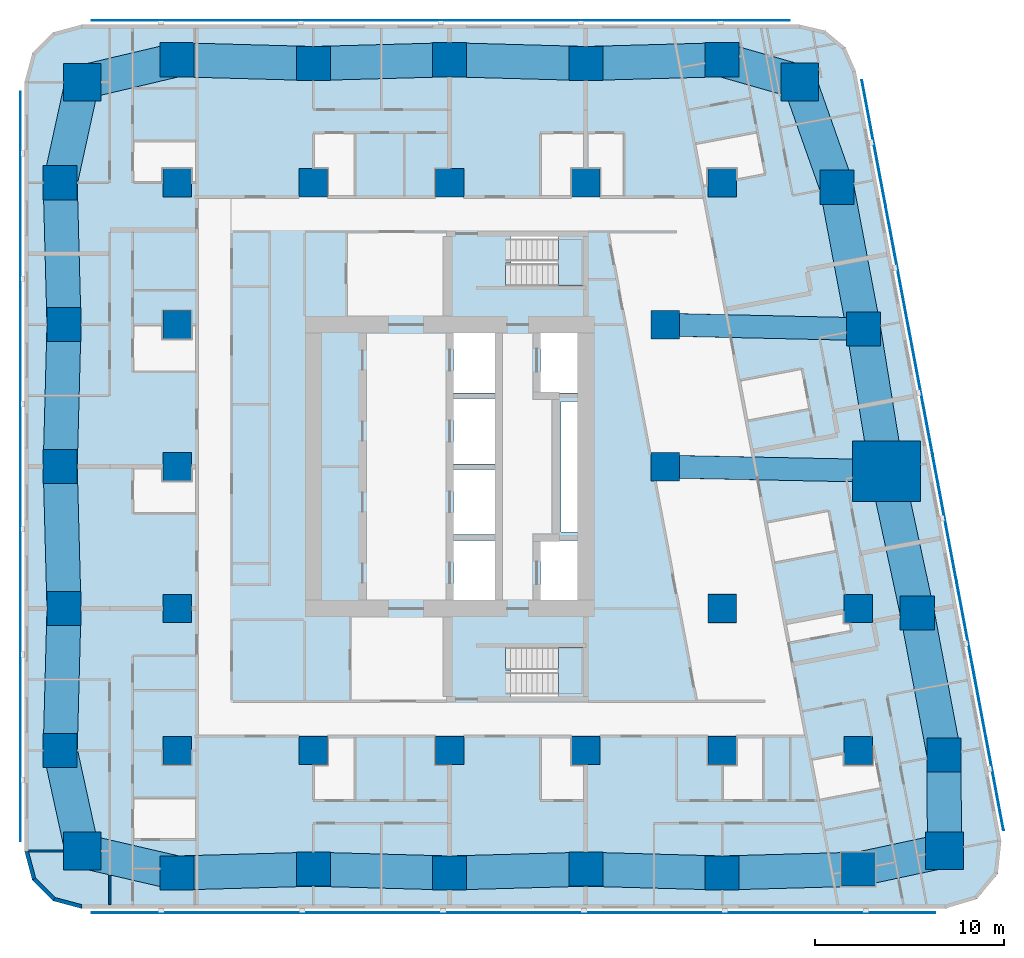
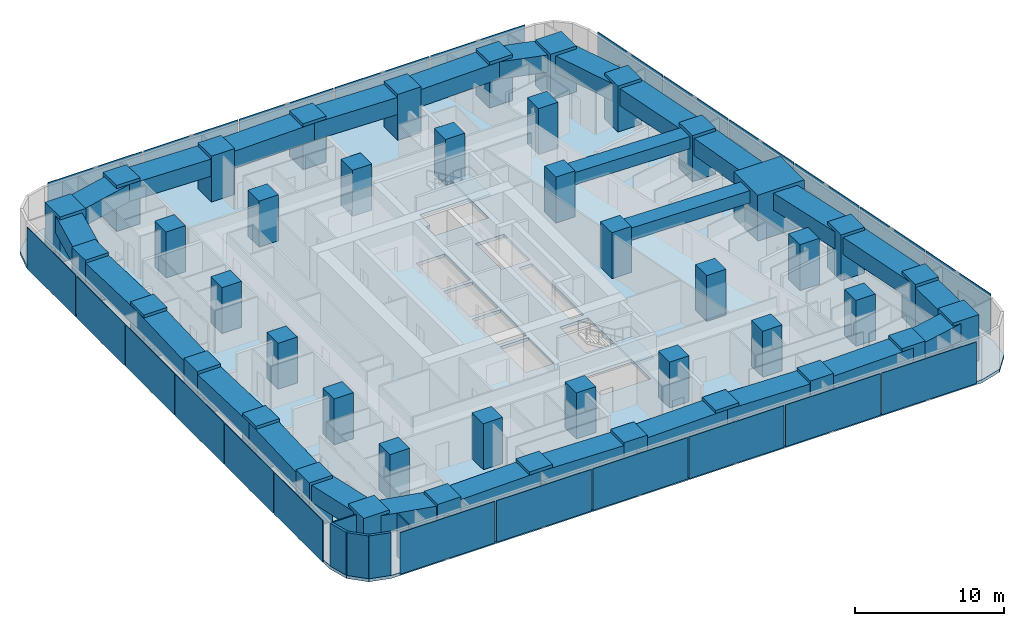
# One storey, part 1 of 15: 43 columns, 27 beams, 23 plates, 5 walls, 3 slabs, 2 elements without a shape of their own.
"""IFC4 building model written with IfcOpenShell, lengths in metres."""

from ifc_helpers import new_model, si_unit, direction, frame, frame_2d, origin, origin_2d, place, context, subcontext, project, spatial, polyline, rectangle, outline, extrude, material, layer, layer_set, material_profile, profile_set, type_object, element, aggregate, save


model = new_model("IFC4")

# Units and contexts
model_context = context("Model", 3, precision=1e-05, world=origin(), true_north=direction((0.0, 1.0)))
body_context = subcontext(model_context, "Body", "Model", "MODEL_VIEW")
ifc_project = project(units=[si_unit("LENGTHUNIT", "METRE"), si_unit("AREAUNIT", "SQUARE_METRE"), si_unit("VOLUMEUNIT", "CUBIC_METRE"), si_unit("PLANEANGLEUNIT", "RADIAN"), si_unit("MASSUNIT", "GRAM", prefix="KILO")], contexts=[model_context])

# Site, building, storey
site_placement = place(None, origin())
site = spatial("IfcSite", under=ifc_project, at=site_placement, CompositionType="ELEMENT")
building_placement = place(site_placement, origin())
building = spatial("IfcBuilding", under=site, at=building_placement, Name="Sheger Commons Tower", CompositionType="ELEMENT")
storey_placement = place(building_placement, frame((0.0, 0.0, 173.300048828125)))
storey = spatial("IfcBuildingStorey", under=building, at=storey_placement, Name="L44", CompositionType="ELEMENT", Elevation=173.300048828125)

# Columns
ifc_material_1 = material(Name="Concrete C50/60", Category="concrete")
ifc_material_profile_1 = material_profile(ifc_material_1, rectangle(XDim=3.60009765625, YDim=3.199951171875, at=origin_2d()), Name="RC 3600x3200")
ifc_profile_set_1 = profile_set([ifc_material_profile_1], Name="Concrete C50/60")
column_type_1 = type_object("IfcColumnType", Name="COLUMN PIER RC 3600x3200", PredefinedType="COLUMN", material=ifc_profile_set_1)
column_placement = place(storey_placement, frame((44.697021484375, 22.262939453125, 0.0), z_axis=(0.0, 0.0, 1.0), x_axis=(1.0, 0.0, 0.0)))
element("IfcColumn", 1, at=column_placement, inside=storey, type_object=column_type_1, Name="Pier 7/D+E/D L44", PredefinedType="COLUMN", context=body_context, shape_type="SweptSolid", body=[
    extrude(rectangle(XDim=3.60009765625, YDim=3.199951171875, at=origin_2d()), origin(), (0.0, 0.0, 1.0), 3.75),
])
ifc_material_2 = material(Name="Concrete C50/60", Category="concrete")
ifc_material_profile_2 = material_profile(ifc_material_2, rectangle(XDim=1.5, YDim=1.5, at=origin_2d()), Name="RC 1500x1500")
ifc_profile_set_2 = profile_set([ifc_material_profile_2], Name="Concrete C50/60")
column_type_2 = type_object("IfcColumnType", Name="COLUMN RC 1500x1500", PredefinedType="COLUMN", material=ifc_profile_set_2)
for number, where, z_axis, x_axis, name in (
    (2, (7.199951171875, 7.5, 0.0), (0.0, 0.0, 1.0), (1.0, 0.0, 0.0), "Column 2/B L44"),
    (3, (14.39990234375, 7.5, 0.0), (0.0, 0.0, 1.0), (1.0, 0.0, 0.0), "Column 3/B L44"),
    (4, (21.60009765625, 7.5, 0.0), (0.0, 0.0, 1.0), (1.0, 0.0, 0.0), "Column 4/B L44"),
    (5, (28.800048828125, 7.5, 0.0), (0.0, 0.0, 1.0), (1.0, 0.0, 0.0), "Column 5/B L44"),
    (6, (36.0, 7.5, 0.0), (0.0, 0.0, 1.0), (1.0, 0.0, 0.0), "Column 6/B L44"),
    (7, (43.199951171875, 7.5, 0.0), (0.0, 0.0, 1.0), (1.0, 0.0, 0.0), "Column 7/B L44"),
    (8, (7.199951171875, 15.0, 0.0), (0.0, 0.0, 1.0), (1.0, 0.0, 0.0), "Column 2/C L44"),
    (9, (36.0, 15.0, 0.0), (0.0, 0.0, 1.0), (1.0, 0.0, 0.0), "Column 6/C L44"),
    (10, (43.199951171875, 15.0, 0.0), (0.0, 0.0, 1.0), (1.0, 0.0, 0.0), "Column 7/C L44"),
    (11, (7.199951171875, 22.5, 0.0), (0.0, 0.0, 1.0), (1.0, 0.0, 0.0), "Column 2/D L44"),
    (12, (33.0, 22.5, 0.0), (0.0, 0.0, 1.0), (1.0, 0.0, 0.0), "Column 6-3000/D L44"),
    (13, (7.199951171875, 30.0, 0.0), (0.0, 0.0, 1.0), (1.0, 0.0, 0.0), "Column 2/E L44"),
    (14, (33.0, 30.0, 0.0), (0.0, 0.0, 1.0), (1.0, 0.0, 0.0), "Column 6-3000/E L44"),
    (15, (7.199951171875, 37.5, 0.0), (0.0, 0.0, 1.0), (1.0, 0.0, 0.0), "Column 2/F L44"),
    (16, (14.39990234375, 37.5, 0.0), (0.0, 0.0, 1.0), (1.0, 0.0, 0.0), "Column 3/F L44"),
    (17, (21.60009765625, 37.5, 0.0), (0.0, 0.0, 1.0), (1.0, 0.0, 0.0), "Column 4/F L44"),
    (18, (28.800048828125, 37.5, 0.0), (0.0, 0.0, 1.0), (1.0, 0.0, 0.0), "Column 5/F L44"),
    (19, (36.0, 37.5, 0.0), (0.0, 0.0, 1.0), (1.0, 0.0, 0.0), "Column 6/F L44"),
):
    element("IfcColumn", number, at=place(storey_placement, frame(where, z_axis=z_axis, x_axis=x_axis)), inside=storey, type_object=column_type_2, Name=name, PredefinedType="COLUMN", context=body_context, shape_type="SweptSolid", body=[
        extrude(rectangle(XDim=1.5, YDim=1.5, at=origin_2d()), origin(), (0.0, 0.0, 1.0), 3.75),
    ])
ifc_material_3 = material(Name="Concrete C50/60", Category="concrete")
ifc_material_profile_3 = material_profile(ifc_material_3, rectangle(XDim=1.800048828125, YDim=1.800048828125, at=origin_2d()), Name="RC 1800x1800")
ifc_profile_set_3 = profile_set([ifc_material_profile_3], Name="Concrete C50/60")
column_type_3 = type_object("IfcColumnType", Name="COLUMN RC 1800x1800", PredefinedType="COLUMN", material=ifc_profile_set_3)
for number, where, z_axis, x_axis, name in (
    (20, (7.199951171875, 1.02490234375, 0.0), (0.0, 0.0, 1.0), (1.0, 0.0, 0.0), "Column 2/A L44"),
    (21, (14.39990234375, 1.22509765625, 0.0), (0.0, 0.0, 1.0), (1.0, 0.0, 0.0), "Column 3/A L44"),
    (22, (21.60009765625, 1.02490234375, 0.0), (0.0, 0.0, 1.0), (1.0, 0.0, 0.0), "Column 4/A L44"),
    (23, (28.800048828125, 1.22509765625, 0.0), (0.0, 0.0, 1.0), (1.0, 0.0, 0.0), "Column 5/A L44"),
    (24, (36.0, 1.02490234375, 0.0), (0.0, 0.0, 1.0), (1.0, 0.0, 0.0), "Column 6/A L44"),
    (25, (43.199951171875, 1.22509765625, 0.0), (0.0, 0.0, 1.0), (1.0, 0.0, 0.0), "Column 7/A L44"),
    (26, (1.02490234375, 7.5, 0.0), (0.0, 0.0, 1.0), (1.0, 0.0, 0.0), "Column 1/B L44"),
    (27, (47.72998046875, 7.262939453125, 0.0), (0.0, 0.0, 1.0), (1.0, 0.0, 0.0), "Column E/B L44"),
    (28, (1.22509765625, 15.0, 0.0), (0.0, 0.0, 1.0), (1.0, 0.0, 0.0), "Column 1/C L44"),
    (29, (46.31396484375, 14.762939453125, 0.0), (0.0, 0.0, 1.0), (1.0, 0.0, 0.0), "Column E/C L44"),
    (30, (1.02490234375, 22.5, 0.0), (0.0, 0.0, 1.0), (1.0, 0.0, 0.0), "Column 1/D L44"),
    (31, (1.22509765625, 30.0, 0.0), (0.0, 0.0, 1.0), (1.0, 0.0, 0.0), "Column 1/E L44"),
    (32, (43.47998046875, 29.762939453125, 0.0), (0.0, 0.0, 1.0), (1.0, 0.0, 0.0), "Column E/E L44"),
    (33, (1.02490234375, 37.5, 0.0), (0.0, 0.0, 1.0), (1.0, 0.0, 0.0), "Column 1/F L44"),
    (34, (42.06396484375, 37.262939453125, 0.0), (0.0, 0.0, 1.0), (1.0, 0.0, 0.0), "Column E/F L44"),
    (35, (7.199951171875, 44.0, 0.0), (0.0, 0.0, 1.0), (1.0, 0.0, 0.0), "Column 2/G L44"),
    (36, (14.39990234375, 43.800048828125, 0.0), (0.0, 0.0, 1.0), (1.0, 0.0, 0.0), "Column 3/G L44"),
    (37, (21.60009765625, 44.0, 0.0), (0.0, 0.0, 1.0), (1.0, 0.0, 0.0), "Column 4/G L44"),
    (38, (28.800048828125, 43.800048828125, 0.0), (0.0, 0.0, 1.0), (1.0, 0.0, 0.0), "Column 5/G L44"),
    (39, (36.0, 44.0, 0.0), (0.0, 0.0, 1.0), (1.0, 0.0, 0.0), "Column 6/G L44"),
):
    element("IfcColumn", number, at=place(storey_placement, frame(where, z_axis=z_axis, x_axis=x_axis)), inside=storey, type_object=column_type_3, Name=name, PredefinedType="COLUMN", context=body_context, shape_type="SweptSolid", body=[
        extrude(rectangle(XDim=1.800048828125, YDim=1.800048828125, at=origin_2d()), origin(), (0.0, 0.0, 1.0), 3.75),
    ])
ifc_material_4 = material(Name="Concrete C50/60", Category="concrete")
ifc_material_profile_4 = material_profile(ifc_material_4, rectangle(XDim=2.0, YDim=2.0, at=origin_2d()), Name="RC 2000x2000")
ifc_profile_set_4 = profile_set([ifc_material_profile_4], Name="Concrete C50/60")
column_type_4 = type_object("IfcColumnType", Name="COLUMN RC 2000x2000", PredefinedType="COLUMN", material=ifc_profile_set_4)
for number, where, z_axis, x_axis, name in (
    (40, (2.18603515625, 2.18603515625, 0.0), (0.0, 0.0, 1.0), (1.0, 0.0, 0.0), "Column 0.630,0.630 L44"),
    (41, (47.748046875, 2.197021484375, 0.0), (0.0, 0.0, 1.0), (1.0, 0.0, 0.0), "Column 49.461,0.778 L44"),
    (42, (2.18603515625, 42.81396484375, 0.0), (0.0, 0.0, 1.0), (1.0, 0.0, 0.0), "Column 0.630,44.370 L44"),
    (43, (40.10205078125, 42.830078125, 0.0), (0.0, 0.0, 1.0), (1.0, 0.0, 0.0), "Column 41.490,44.505 L44"),
):
    element("IfcColumn", number, at=place(storey_placement, frame(where, z_axis=z_axis, x_axis=x_axis)), inside=storey, type_object=column_type_4, Name=name, PredefinedType="COLUMN", context=body_context, shape_type="SweptSolid", body=[
        extrude(rectangle(XDim=2.0, YDim=2.0, at=origin_2d()), origin(), (0.0, 0.0, 1.0), 3.75),
    ])

# Beams
ifc_material_5 = material(Name="Concrete C50/60", Category="concrete")
ifc_material_profile_5 = material_profile(ifc_material_5, rectangle(XDim=1.199951171875, YDim=1.0, at=origin_2d()), Name="RC 1200x1000")
ifc_profile_set_5 = profile_set([ifc_material_profile_5], Name="Concrete C50/60")
beam_type_1 = type_object("IfcBeamType", Name="BEAM RC 1200x1000", PredefinedType="BEAM", material=ifc_profile_set_5)
beam_1_placement = place(storey_placement, frame((33.0, 22.5, 3.0), z_axis=(0.999794692776, -0.02026258368, 0.0), x_axis=(0.02026258368, 0.999794692776, 0.0)))
element("IfcBeam", 44, at=beam_1_placement, inside=storey, type_object=beam_type_1, Name="Beam 6-3000/D-7/D under L45", PredefinedType="BEAM", context=body_context, shape_type="SweptSolid", body=[
    extrude(rectangle(XDim=1.199951171875, YDim=1.0, at=origin_2d()), origin(), (0.0, 0.0, 1.0), 11.699462890625),
])
beam_2_placement = place(storey_placement, frame((33.0, 30.0, 3.0), z_axis=(0.999744258625, -0.022614538395, 0.0), x_axis=(0.022614538395, 0.999744258625, 0.0)))
element("IfcBeam", 45, at=beam_2_placement, inside=storey, type_object=beam_type_1, Name="Beam 6-3000/E-E/E under L45", PredefinedType="BEAM", context=body_context, shape_type="SweptSolid", body=[
    extrude(rectangle(XDim=1.199951171875, YDim=1.0, at=origin_2d()), origin(), (0.0, 0.0, 1.0), 10.482666015625),
])
ifc_material_6 = material(Name="Concrete C50/60", Category="concrete")
ifc_material_profile_6 = material_profile(ifc_material_6, rectangle(XDim=1.800048828125, YDim=1.39990234375, at=origin_2d()), Name="RC 1800x1400")
ifc_profile_set_6 = profile_set([ifc_material_profile_6], Name="Concrete C50/60")
beam_type_2 = type_object("IfcBeamType", Name="SPANDREL RC 1800x1400", PredefinedType="SPANDREL", material=ifc_profile_set_6)
beam_3_placement = place(storey_placement, frame((2.18603515625, 2.18603515625, 2.800048828125), z_axis=(0.974217413499, -0.225611239159, 0.0), x_axis=(0.225611239159, 0.974217413499, 0.0)))
element("IfcBeam", 46, at=beam_3_placement, inside=storey, type_object=beam_type_2, Name="Beam 0.630,0.630-2/A under L45", PredefinedType="SPANDREL", context=body_context, shape_type="SweptSolid", body=[
    extrude(rectangle(XDim=1.800048828125, YDim=1.39990234375, at=origin_2d()), origin(), (0.0, 0.0, 1.0), 5.146728515625),
])
beam_4_placement = place(storey_placement, frame((7.199951171875, 1.02490234375, 2.800048828125), z_axis=(0.9996136624, 0.027794350926, 0.0), x_axis=(-0.027794350926, 0.9996136624, 0.0)))
element("IfcBeam", 47, at=beam_4_placement, inside=storey, type_object=beam_type_2, Name="Beam 2/A-3/A under L45", PredefinedType="SPANDREL", context=body_context, shape_type="SweptSolid", body=[
    extrude(rectangle(XDim=1.800048828125, YDim=1.39990234375, at=origin_2d()), origin(), (0.0, 0.0, 1.0), 7.20263671875),
])
beam_5_placement = place(storey_placement, frame((14.39990234375, 1.22509765625, 2.800048828125), z_axis=(0.999613688584, -0.027793409217, 0.0), x_axis=(0.027793409217, 0.999613688584, 0.0)))
element("IfcBeam", 48, at=beam_5_placement, inside=storey, type_object=beam_type_2, Name="Beam 3/A-4/A under L45", PredefinedType="SPANDREL", context=body_context, shape_type="SweptSolid", body=[
    extrude(rectangle(XDim=1.800048828125, YDim=1.39990234375, at=origin_2d()), origin(), (0.0, 0.0, 1.0), 7.202880859375),
])
for number, where, z_axis, x_axis, name in (
    (49, (21.60009765625, 1.02490234375, 2.800048828125), (0.9996136624, 0.027794350926, 0.0), (-0.027794350926, 0.9996136624, 0.0), "Beam 4/A-5/A under L45"),
    (50, (28.800048828125, 1.22509765625, 2.800048828125), (0.9996136624, -0.027794350926, 0.0), (0.027794350926, 0.9996136624, 0.0), "Beam 5/A-6/A under L45"),
    (51, (36.0, 1.02490234375, 2.800048828125), (0.9996136624, 0.027794350926, 0.0), (-0.027794350926, 0.9996136624, 0.0), "Beam 6/A-7/A under L45"),
):
    element("IfcBeam", number, at=place(storey_placement, frame(where, z_axis=z_axis, x_axis=x_axis)), inside=storey, type_object=beam_type_2, Name=name, PredefinedType="SPANDREL", context=body_context, shape_type="SweptSolid", body=[
        extrude(rectangle(XDim=1.800048828125, YDim=1.39990234375, at=origin_2d()), origin(), (0.0, 0.0, 1.0), 7.20263671875),
    ])
beam_6_placement = place(storey_placement, frame((43.199951171875, 1.22509765625, 2.800048828125), z_axis=(0.977919796671, 0.208980552394, 0.0), x_axis=(-0.208980552394, 0.977919796671, 0.0)))
element("IfcBeam", 52, at=beam_6_placement, inside=storey, type_object=beam_type_2, Name="Beam 7/A-49.461,0.778 under L45", PredefinedType="SPANDREL", context=body_context, shape_type="SweptSolid", body=[
    extrude(rectangle(XDim=1.800048828125, YDim=1.39990234375, at=origin_2d()), origin(), (0.0, 0.0, 1.0), 4.65087890625),
])
beam_7_placement = place(storey_placement, frame((47.748046875, 2.197021484375, 2.800048828125), z_axis=(-0.003566242382, 0.999993640937, 0.0), x_axis=(-0.999993640937, -0.003566242382, 0.0)))
element("IfcBeam", 53, at=beam_7_placement, inside=storey, type_object=beam_type_2, Name="Beam 49.461,0.778-E/B under L45", PredefinedType="SPANDREL", context=body_context, shape_type="SweptSolid", body=[
    extrude(rectangle(XDim=1.800048828125, YDim=1.39990234375, at=origin_2d()), origin(), (0.0, 0.0, 1.0), 5.06591796875),
])
beam_8_placement = place(storey_placement, frame((47.72998046875, 7.262939453125, 2.800048828125), z_axis=(-0.18552441405, 0.982639655108, 0.0), x_axis=(-0.982639655108, -0.18552441405, 0.0)))
element("IfcBeam", 54, at=beam_8_placement, inside=storey, type_object=beam_type_2, Name="Beam E/B-E/C under L45", PredefinedType="SPANDREL", context=body_context, shape_type="SweptSolid", body=[
    extrude(rectangle(XDim=1.800048828125, YDim=1.39990234375, at=origin_2d()), origin(), (0.0, 0.0, 1.0), 7.632568359375),
])
beam_9_placement = place(storey_placement, frame((46.31396484375, 14.762939453125, 2.800048828125), z_axis=(-0.210750229323, 0.977539943348, 0.0), x_axis=(-0.977539943348, -0.210750229323, 0.0)))
element("IfcBeam", 55, at=beam_9_placement, inside=storey, type_object=beam_type_2, Name="Beam E/C-E/D under L45", PredefinedType="SPANDREL", context=body_context, shape_type="SweptSolid", body=[
    extrude(rectangle(XDim=1.800048828125, YDim=1.39990234375, at=origin_2d()), origin(), (0.0, 0.0, 1.0), 7.67236328125),
])
beam_10_placement = place(storey_placement, frame((44.697021484375, 22.262939453125, 2.800048828125), z_axis=(-0.160176929512, 0.987088319884, 0.0), x_axis=(-0.987088319884, -0.160176929512, 0.0)))
element("IfcBeam", 56, at=beam_10_placement, inside=storey, type_object=beam_type_2, Name="Beam E/D-E/E under L45", PredefinedType="SPANDREL", context=body_context, shape_type="SweptSolid", body=[
    extrude(rectangle(XDim=1.800048828125, YDim=1.39990234375, at=origin_2d()), origin(), (0.0, 0.0, 1.0), 7.59814453125),
])
beam_11_placement = place(storey_placement, frame((43.47998046875, 29.762939453125, 2.800048828125), z_axis=(-0.18552441405, 0.982639655108, 0.0), x_axis=(-0.982639655108, -0.18552441405, 0.0)))
element("IfcBeam", 57, at=beam_11_placement, inside=storey, type_object=beam_type_2, Name="Beam E/E-E/F under L45", PredefinedType="SPANDREL", context=body_context, shape_type="SweptSolid", body=[
    extrude(rectangle(XDim=1.800048828125, YDim=1.39990234375, at=origin_2d()), origin(), (0.0, 0.0, 1.0), 7.632568359375),
])
beam_12_placement = place(storey_placement, frame((42.06396484375, 37.262939453125, 2.800048828125), z_axis=(-0.332374403357, 0.943147526102, 0.0), x_axis=(-0.943147526102, -0.332374403357, 0.0)))
element("IfcBeam", 58, at=beam_12_placement, inside=storey, type_object=beam_type_2, Name="Beam E/F-41.490,44.505 under L45", PredefinedType="SPANDREL", context=body_context, shape_type="SweptSolid", body=[
    extrude(rectangle(XDim=1.800048828125, YDim=1.39990234375, at=origin_2d()), origin(), (0.0, 0.0, 1.0), 5.90283203125),
])
beam_13_placement = place(storey_placement, frame((40.10205078125, 42.830078125, 2.800048828125), z_axis=(-0.961653428129, 0.274267541221, 0.0), x_axis=(-0.274267541221, -0.961653428129, 0.0)))
element("IfcBeam", 59, at=beam_13_placement, inside=storey, type_object=beam_type_2, Name="Beam 41.490,44.505-6/G under L45", PredefinedType="SPANDREL", context=body_context, shape_type="SweptSolid", body=[
    extrude(rectangle(XDim=1.800048828125, YDim=1.39990234375, at=origin_2d()), origin(), (0.0, 0.0, 1.0), 4.265625),
])
for number, where, z_axis, x_axis, name in (
    (60, (36.0, 44.0, 2.800048828125), (-0.999614603568, -0.027760481514, 0.0), (0.027760481514, -0.999614603568, 0.0), "Beam 6/G-5/G under L45"),
    (61, (28.800048828125, 43.800048828125, 2.800048828125), (-0.999614603568, 0.027760481514, 0.0), (-0.027760481514, -0.999614603568, 0.0), "Beam 5/G-4/G under L45"),
):
    element("IfcBeam", number, at=place(storey_placement, frame(where, z_axis=z_axis, x_axis=x_axis)), inside=storey, type_object=beam_type_2, Name=name, PredefinedType="SPANDREL", context=body_context, shape_type="SweptSolid", body=[
        extrude(rectangle(XDim=1.800048828125, YDim=1.39990234375, at=origin_2d()), origin(), (0.0, 0.0, 1.0), 7.20263671875),
    ])
beam_14_placement = place(storey_placement, frame((21.60009765625, 44.0, 2.800048828125), z_axis=(-0.999614629688, -0.027759540951, 0.0), x_axis=(0.027759540951, -0.999614629688, 0.0)))
element("IfcBeam", 62, at=beam_14_placement, inside=storey, type_object=beam_type_2, Name="Beam 4/G-3/G under L45", PredefinedType="SPANDREL", context=body_context, shape_type="SweptSolid", body=[
    extrude(rectangle(XDim=1.800048828125, YDim=1.39990234375, at=origin_2d()), origin(), (0.0, 0.0, 1.0), 7.202880859375),
])
beam_15_placement = place(storey_placement, frame((14.39990234375, 43.800048828125, 2.800048828125), z_axis=(-0.999614603568, 0.027760481514, 0.0), x_axis=(-0.027760481514, -0.999614603568, 0.0)))
element("IfcBeam", 63, at=beam_15_placement, inside=storey, type_object=beam_type_2, Name="Beam 3/G-2/G under L45", PredefinedType="SPANDREL", context=body_context, shape_type="SweptSolid", body=[
    extrude(rectangle(XDim=1.800048828125, YDim=1.39990234375, at=origin_2d()), origin(), (0.0, 0.0, 1.0), 7.20263671875),
])
beam_16_placement = place(storey_placement, frame((7.199951171875, 44.0, 2.800048828125), z_axis=(-0.97314428949, -0.230195985701, 0.0), x_axis=(0.230195985701, -0.97314428949, 0.0)))
element("IfcBeam", 64, at=beam_16_placement, inside=storey, type_object=beam_type_2, Name="Beam 2/G-0.630,44.370 under L45", PredefinedType="SPANDREL", context=body_context, shape_type="SweptSolid", body=[
    extrude(rectangle(XDim=1.800048828125, YDim=1.39990234375, at=origin_2d()), origin(), (0.0, 0.0, 1.0), 5.15234375),
])
beam_17_placement = place(storey_placement, frame((2.18603515625, 42.81396484375, 2.800048828125), z_axis=(-0.213469314652, -0.976949769283, 0.0), x_axis=(0.976949769283, -0.213469314652, 0.0)))
element("IfcBeam", 65, at=beam_17_placement, inside=storey, type_object=beam_type_2, Name="Beam 0.630,44.370-1/F under L45", PredefinedType="SPANDREL", context=body_context, shape_type="SweptSolid", body=[
    extrude(rectangle(XDim=1.800048828125, YDim=1.39990234375, at=origin_2d()), origin(), (0.0, 0.0, 1.0), 5.439453125),
])
for number, where, z_axis, x_axis, name in (
    (66, (1.02490234375, 37.5, 2.800048828125), (0.026683204125, -0.999643939919, 0.0), (0.999643939919, 0.026683204125, 0.0), "Beam 1/F-1/E under L45"),
    (67, (1.22509765625, 30.0, 2.800048828125), (-0.026683204125, -0.999643939919, 0.0), (0.999643939919, -0.026683204125, 0.0), "Beam 1/E-1/D under L45"),
    (68, (1.02490234375, 22.5, 2.800048828125), (0.026683204125, -0.999643939919, 0.0), (0.999643939919, 0.026683204125, 0.0), "Beam 1/D-1/C under L45"),
    (69, (1.22509765625, 15.0, 2.800048828125), (-0.026683204125, -0.999643939919, 0.0), (0.999643939919, -0.026683204125, 0.0), "Beam 1/C-1/B under L45"),
):
    element("IfcBeam", number, at=place(storey_placement, frame(where, z_axis=z_axis, x_axis=x_axis)), inside=storey, type_object=beam_type_2, Name=name, PredefinedType="SPANDREL", context=body_context, shape_type="SweptSolid", body=[
        extrude(rectangle(XDim=1.800048828125, YDim=1.39990234375, at=origin_2d()), origin(), (0.0, 0.0, 1.0), 7.502685546875),
    ])
beam_18_placement = place(storey_placement, frame((1.02490234375, 7.5, 2.800048828125), z_axis=(0.213469314652, -0.976949769283, 0.0), x_axis=(0.976949769283, 0.213469314652, 0.0)))
element("IfcBeam", 70, at=beam_18_placement, inside=storey, type_object=beam_type_2, Name="Beam 1/B-0.630,0.630 under L45", PredefinedType="SPANDREL", context=body_context, shape_type="SweptSolid", body=[
    extrude(rectangle(XDim=1.800048828125, YDim=1.39990234375, at=origin_2d()), origin(), (0.0, 0.0, 1.0), 5.439453125),
])

# Slab
ifc_material_7 = material(Name="Concrete C35/45", Category="concrete")
ifc_layer_1 = layer(ifc_material_7, 0.25)
ifc_layer_set_1 = layer_set([ifc_layer_1], Name="SLAB FLOOR 250")
slab_type_1 = type_object("IfcSlabType", Name="SLAB FLOOR 250", PredefinedType="FLOOR", material=ifc_layer_set_1)
slab_1_placement = place(storey_placement, frame((0.0, 0.0, -0.25)))
element("IfcSlab", 71, at=slab_1_placement, inside=storey, type_object=slab_type_1, Name="L44 floor slab", PredefinedType="FLOOR", context=body_context, shape_type="SweptSolid", body=[
    extrude(outline(polyline([(-0.85009765625, 2.14990234375), (-0.447998046875, 0.64990234375), (0.64990234375, -0.447998046875), (2.14990234375, -0.85009765625), (47.805908203125, -0.85009765625), (49.465087890625, -0.35009765625), (50.570068359375, 0.98388671875), (50.75390625, 2.70703125), (43.06591796875, 43.406982421875), (42.509033203125, 44.660888671875), (41.452880859375, 45.535888671875), (40.117919921875, 45.85009765625), (2.14990234375, 45.85009765625), (0.64990234375, 45.447998046875), (-0.447998046875, 44.35009765625), (-0.85009765625, 42.85009765625), (-0.85009765625, 2.14990234375)]), holes=[polyline([(24.85009765625, 10.35009765625), (28.64990234375, 10.35009765625), (28.64990234375, 12.949951171875), (24.551025390625, 12.949951171875), (24.551025390625, 11.75), (24.85009765625, 11.75), (24.85009765625, 10.35009765625)]), polyline([(24.551025390625, 32.050048828125), (28.64990234375, 32.050048828125), (28.64990234375, 34.64990234375), (24.85009765625, 34.64990234375), (24.85009765625, 33.25), (24.551025390625, 33.25), (24.551025390625, 32.050048828125)]), polyline([(26.39990234375, 15.14990234375), (28.60009765625, 15.14990234375), (28.60009765625, 18.60009765625), (26.39990234375, 18.60009765625), (26.39990234375, 15.14990234375)]), polyline([(26.39990234375, 26.39990234375), (28.60009765625, 26.39990234375), (28.60009765625, 29.85009765625), (26.39990234375, 29.85009765625), (26.39990234375, 26.39990234375)]), polyline([(21.800048828125, 15.14990234375), (24.0, 15.14990234375), (24.0, 18.60009765625), (21.800048828125, 18.60009765625), (21.800048828125, 15.14990234375)]), polyline([(21.800048828125, 18.89990234375), (24.0, 18.89990234375), (24.0, 22.35009765625), (21.800048828125, 22.35009765625), (21.800048828125, 18.89990234375)]), polyline([(21.800048828125, 22.64990234375), (24.0, 22.64990234375), (24.0, 26.10009765625), (21.800048828125, 26.10009765625), (21.800048828125, 22.64990234375)]), polyline([(21.800048828125, 26.39990234375), (24.0, 26.39990234375), (24.0, 29.85009765625), (21.800048828125, 29.85009765625), (21.800048828125, 26.39990234375)]), polyline([(27.5, 19.050048828125), (28.5, 19.050048828125), (28.5, 25.949951171875), (27.5, 25.949951171875), (27.5, 19.050048828125)])]), origin(), (0.0, 0.0, 1.0), 0.25),
])

# Plates
ifc_material_8 = material(Name="Perforated black anodised aluminium screen", Category="aluminium")
ifc_layer_2 = layer(ifc_material_8, 0.050048828125)
ifc_layer_set_2 = layer_set([ifc_layer_2], Name="SOLAR SCREEN SCREEN-1")
plate_type = type_object("IfcPlateType", Name="SOLAR SCREEN SCREEN-1", PredefinedType="USERDEFINED", material=ifc_layer_set_2)
for number, where, z_axis, x_axis, name in (
    (72, (6.37109375, -1.074951171875, 0.050048828125), (0.0, 0.0, 1.0), (1.0, 0.0, 0.0), "Perforated solar screen panel"),
    (73, (13.81396484375, -1.074951171875, 0.050048828125), (0.0, 0.0, 1.0), (1.0, 0.0, 0.0), "Perforated solar screen panel"),
    (74, (21.257080078125, -1.074951171875, 0.050048828125), (0.0, 0.0, 1.0), (1.0, 0.0, 0.0), "Perforated solar screen panel"),
    (75, (28.698974609375, -1.074951171875, 0.050048828125), (0.0, 0.0, 1.0), (1.0, 0.0, 0.0), "Perforated solar screen panel"),
    (76, (36.14208984375, -1.074951171875, 0.050048828125), (0.0, 0.0, 1.0), (1.0, 0.0, 0.0), "Perforated solar screen panel"),
    (77, (43.5849609375, -1.074951171875, 0.050048828125), (0.0, 0.0, 1.0), (1.0, 0.0, 0.0), "Perforated solar screen panel"),
):
    element("IfcPlate", number, at=place(storey_placement, frame(where, z_axis=z_axis, x_axis=x_axis)), inside=storey, type_object=plate_type, Name=name, ObjectType="SCREEN", PredefinedType="USERDEFINED", context=body_context, shape_type="SweptSolid", body=[
        extrude(rectangle(XDim=7.343017578125, YDim=0.050048828125, at=origin_2d()), origin(), (0.0, 0.0, 1.0), 3.39990234375),
    ])
for number, where, z_axis, x_axis, name in (
    (78, (50.257080078125, 6.550048828125, 0.050048828125), (0.0, 0.0, 1.0), (-0.185615165645, 0.982622516678, 0.0), "Perforated solar screen panel"),
    (79, (49.007080078125, 13.1689453125, 0.050048828125), (0.0, 0.0, 1.0), (-0.185615165645, 0.982622516678, 0.0), "Perforated solar screen panel"),
    (80, (47.756103515625, 19.7890625, 0.050048828125), (0.0, 0.0, 1.0), (-0.185615165645, 0.982622516678, 0.0), "Perforated solar screen panel"),
    (81, (46.506103515625, 26.408935546875, 0.050048828125), (0.0, 0.0, 1.0), (-0.185615165645, 0.982622516678, 0.0), "Perforated solar screen panel"),
    (82, (45.2548828125, 33.028076171875, 0.050048828125), (0.0, 0.0, 1.0), (-0.185615165645, 0.982622516678, 0.0), "Perforated solar screen panel"),
    (83, (44.0048828125, 39.64794921875, 0.050048828125), (0.0, 0.0, 1.0), (-0.185615165645, 0.982622516678, 0.0), "Perforated solar screen panel"),
):
    element("IfcPlate", number, at=place(storey_placement, frame(where, z_axis=z_axis, x_axis=x_axis)), inside=storey, type_object=plate_type, Name=name, ObjectType="SCREEN", PredefinedType="USERDEFINED", context=body_context, shape_type="SweptSolid", body=[
        extrude(rectangle(XDim=6.636962890625, YDim=0.050048828125, at=origin_2d()), origin(), (0.0, 0.0, 1.0), 3.39990234375),
    ])
for number, where, z_axis, x_axis, name in (
    (84, (35.9208984375, 46.074951171875, 0.050048828125), (0.0, 0.0, 1.0), (-1.0, 0.0, 0.0), "Perforated solar screen panel"),
    (85, (28.528076171875, 46.074951171875, 0.050048828125), (0.0, 0.0, 1.0), (-1.0, 0.0, 0.0), "Perforated solar screen panel"),
    (86, (21.134033203125, 46.074951171875, 0.050048828125), (0.0, 0.0, 1.0), (-1.0, 0.0, 0.0), "Perforated solar screen panel"),
    (87, (13.739990234375, 46.074951171875, 0.050048828125), (0.0, 0.0, 1.0), (-1.0, 0.0, 0.0), "Perforated solar screen panel"),
    (88, (6.346923828125, 46.074951171875, 0.050048828125), (0.0, 0.0, 1.0), (-1.0, 0.0, 0.0), "Perforated solar screen panel"),
):
    element("IfcPlate", number, at=place(storey_placement, frame(where, z_axis=z_axis, x_axis=x_axis)), inside=storey, type_object=plate_type, Name=name, ObjectType="SCREEN", PredefinedType="USERDEFINED", context=body_context, shape_type="SweptSolid", body=[
        extrude(rectangle(XDim=7.2939453125, YDim=0.050048828125, at=origin_2d()), origin(), (0.0, 0.0, 1.0), 3.39990234375),
    ])
for number, where, z_axis, x_axis, name in (
    (89, (-1.074951171875, 39.0419921875, 0.050048828125), (0.0, 0.0, 1.0), (0.0, -1.0, 0.0), "Perforated solar screen panel"),
    (90, (-1.074951171875, 32.425048828125, 0.050048828125), (0.0, 0.0, 1.0), (0.0, -1.0, 0.0), "Perforated solar screen panel"),
    (91, (-1.074951171875, 25.80810546875, 0.050048828125), (0.0, 0.0, 1.0), (0.0, -1.0, 0.0), "Perforated solar screen panel"),
    (92, (-1.074951171875, 19.19189453125, 0.050048828125), (0.0, 0.0, 1.0), (0.0, -1.0, 0.0), "Perforated solar screen panel"),
    (93, (-1.074951171875, 12.574951171875, 0.050048828125), (0.0, 0.0, 1.0), (0.0, -1.0, 0.0), "Perforated solar screen panel"),
    (94, (-1.074951171875, 5.9580078125, 0.050048828125), (0.0, 0.0, 1.0), (0.0, -1.0, 0.0), "Perforated solar screen panel"),
):
    element("IfcPlate", number, at=place(storey_placement, frame(where, z_axis=z_axis, x_axis=x_axis)), inside=storey, type_object=plate_type, Name=name, ObjectType="SCREEN", PredefinedType="USERDEFINED", context=body_context, shape_type="SweptSolid", body=[
        extrude(rectangle(XDim=6.51708984375, YDim=0.050048828125, at=origin_2d()), origin(), (0.0, 0.0, 1.0), 3.39990234375),
    ])

# Stair, slab
ifc_material_9 = material(Name="Concrete C35/45", Category="concrete")
stair_type = type_object("IfcStairType", Name="HALF-TURN STAIR 1200 RISE 3750", PredefinedType="HALF_TURN_STAIR", material=ifc_material_9)
stair_1_placement = place(storey_placement, origin())
stair_1 = element("IfcStair", 95, at=stair_1_placement, inside=storey, type_object=stair_type, Name="Stair S1 L44", PredefinedType="HALF_TURN_STAIR")
ifc_material_10 = material(Name="Concrete C35/45", Category="concrete")
ifc_layer_3 = layer(ifc_material_10, 0.199951171875)
ifc_layer_set_3 = layer_set([ifc_layer_3], Name="STAIR LANDING 200")
slab_type_2 = type_object("IfcSlabType", Name="STAIR LANDING 200", PredefinedType="LANDING", material=ifc_layer_set_3)
slab_2_placement = place(storey_placement, frame((0.0, 0.0, 1.675048828125)))
slab_2 = element("IfcSlab", 96, at=slab_2_placement, type_object=slab_type_2, Name="S1 landing 1", PredefinedType="LANDING", context=body_context, shape_type="SweptSolid", body=[
    extrude(outline(polyline([(27.35009765625, 10.199951171875), (28.800048828125, 10.199951171875), (28.800048828125, 12.949951171875), (27.35009765625, 12.949951171875), (27.35009765625, 10.199951171875)])), origin(), (0.0, 0.0, 1.0), 0.199951171875),
])
aggregate(stair_1, [slab_2])

stair_2_placement = place(storey_placement, origin())
stair_2 = element("IfcStair", 97, at=stair_2_placement, inside=storey, type_object=stair_type, Name="Stair S2 L44", PredefinedType="HALF_TURN_STAIR")
slab_3_placement = place(storey_placement, frame((0.0, 0.0, 1.675048828125)))
slab_3 = element("IfcSlab", 98, at=slab_3_placement, type_object=slab_type_2, Name="S2 landing 1", PredefinedType="LANDING", context=body_context, shape_type="SweptSolid", body=[
    extrude(outline(polyline([(27.35009765625, 32.050048828125), (28.800048828125, 32.050048828125), (28.800048828125, 34.800048828125), (27.35009765625, 34.800048828125), (27.35009765625, 32.050048828125)])), origin(), (0.0, 0.0, 1.0), 0.199951171875),
])
aggregate(stair_2, [slab_3])

# Walls
ifc_material_11 = material(Name="Rendered concrete block masonry, dark grey", Category="masonry")
ifc_layer_4 = layer(ifc_material_11, 0.199951171875)
ifc_layer_set_4 = layer_set([ifc_layer_4], Name="FACADE WALL 200")
wall_type_1 = type_object("IfcWallType", Name="FACADE WALL 200", PredefinedType="SOLIDWALL", material=ifc_layer_set_4)
wall_1_placement = place(storey_placement, frame((-0.75, 2.1630859375, 0.0), z_axis=(0.0, 0.0, 1.0), x_axis=(0.259168954497, -0.965832000415, 0.0)))
element("IfcWall", 99, at=wall_1_placement, inside=storey, type_object=wall_type_1, Name="Facade wall L44", PredefinedType="SOLIDWALL", context=body_context, shape_type="SweptSolid", body=[
    extrude(rectangle(XDim=1.512939453125, YDim=0.199951171875, at=frame_2d((0.75634765625, 0.0))), origin(), (0.0, 0.0, 1.0), 3.5),
])
wall_2_placement = place(storey_placement, frame((-0.35791015625, 0.701904296875, 0.0), z_axis=(0.0, 0.0, 1.0), x_axis=(0.707106781187, -0.707106781187, 0.0)))
element("IfcWall", 100, at=wall_2_placement, inside=storey, type_object=wall_type_1, Name="Facade wall L44", PredefinedType="SOLIDWALL", context=body_context, shape_type="SweptSolid", body=[
    extrude(rectangle(XDim=1.498779296875, YDim=0.199951171875, at=frame_2d((0.74951171875, 0.0))), origin(), (0.0, 0.0, 1.0), 3.5),
])
wall_3_placement = place(storey_placement, frame((0.701904296875, -0.35791015625, 0.0), z_axis=(0.0, 0.0, 1.0), x_axis=(0.965832000415, -0.259168954497, 0.0)))
element("IfcWall", 101, at=wall_3_placement, inside=storey, type_object=wall_type_1, Name="Facade wall L44", PredefinedType="SOLIDWALL", context=body_context, shape_type="SweptSolid", body=[
    extrude(rectangle(XDim=1.512939453125, YDim=0.199951171875, at=frame_2d((0.75634765625, 0.0))), origin(), (0.0, 0.0, 1.0), 3.5),
])
ifc_material_12 = material(Name="Gypsum board on steel studs", Category="steel")
ifc_layer_5 = layer(ifc_material_12, 0.10009765625)
ifc_layer_set_5 = layer_set([ifc_layer_5], Name="PARTITION 100")
wall_type_2 = type_object("IfcWallType", Name="PARTITION 100", PredefinedType="PARTITIONING", material=ifc_layer_set_5)
wall_4_placement = place(storey_placement, frame((3.64990234375, -0.64990234375, 0.0), z_axis=(0.0, 0.0, 1.0), x_axis=(0.0, 1.0, 0.0)))
element("IfcWall", 102, at=wall_4_placement, inside=storey, type_object=wall_type_2, Name="Partition L44", PredefinedType="PARTITIONING", context=body_context, shape_type="SweptSolid", body=[
    extrude(rectangle(XDim=1.56201171875, YDim=0.10009765625, at=frame_2d((0.781005859375, 0.0))), origin(), (0.0, 0.0, 1.0), 3.5),
])
wall_5_placement = place(storey_placement, frame((-0.64990234375, 2.18603515625, 0.0), z_axis=(0.0, 0.0, 1.0), x_axis=(1.0, 0.0, 0.0)))
element("IfcWall", 103, at=wall_5_placement, inside=storey, type_object=wall_type_2, Name="Partition L44", PredefinedType="PARTITIONING", context=body_context, shape_type="SweptSolid", body=[
    extrude(rectangle(XDim=1.8349609375, YDim=0.10009765625, at=frame_2d((0.91748046875, 0.0))), origin(), (0.0, 0.0, 1.0), 3.5),
])

save(model, "model.ifc")
